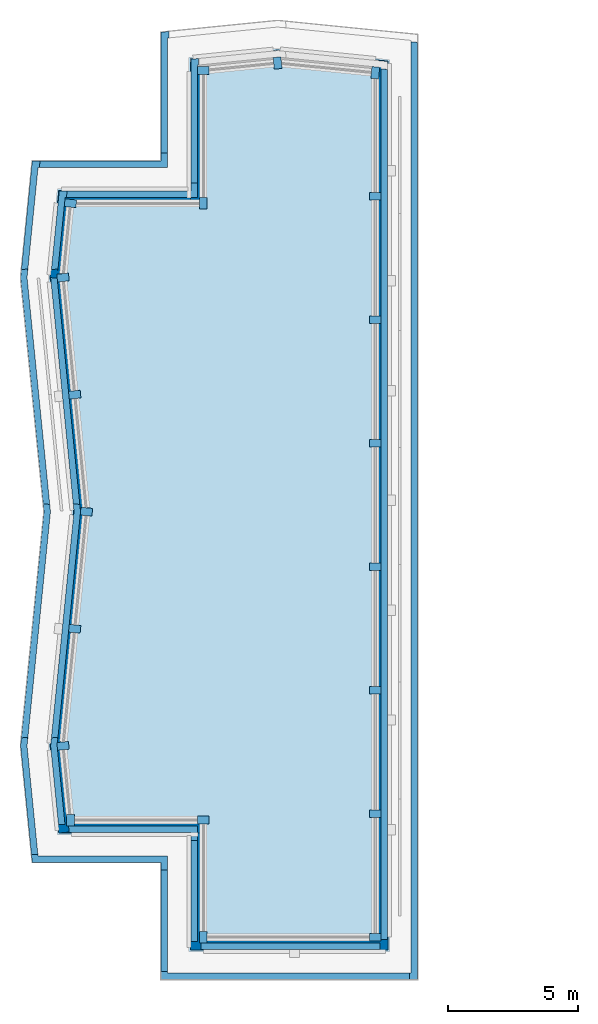
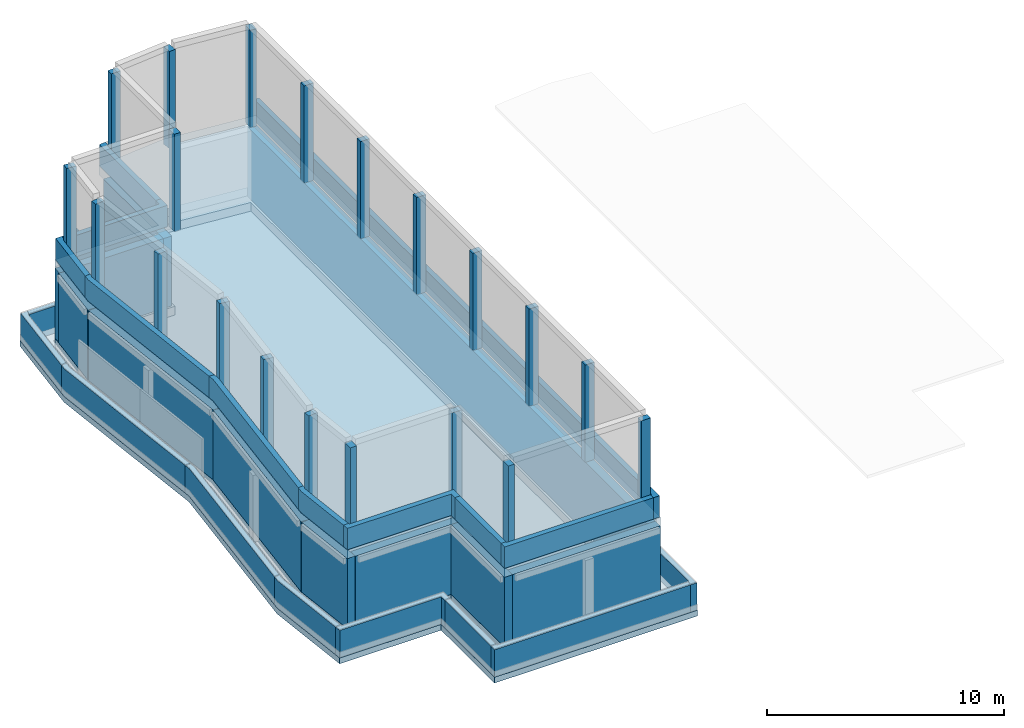
# One storey, part 1 of 4: 30 walls, 20 plates, 3 slabs.
"""IFC4 building model written with IfcOpenShell, lengths in metres."""

from ifc_helpers import new_model, si_unit, direction, frame, frame_2d, origin, place, context, subcontext, project, spatial, polyline, rectangle, outline, extrude, material, layer, layer_set, type_object, element, save


model = new_model("IFC4")

# Units and contexts
model_context = context("Model", 3, precision=1e-05, world=origin(), true_north=direction((0.0, 1.0)))
body_context = subcontext(model_context, "Body", "Model", "MODEL_VIEW")
ifc_project = project(units=[si_unit("LENGTHUNIT", "METRE"), si_unit("AREAUNIT", "SQUARE_METRE"), si_unit("VOLUMEUNIT", "CUBIC_METRE"), si_unit("PLANEANGLEUNIT", "RADIAN"), si_unit("MASSUNIT", "GRAM", prefix="KILO")], contexts=[model_context])

# Site, building, storey
site_placement = place(None, origin())
site = spatial("IfcSite", under=ifc_project, at=site_placement, CompositionType="ELEMENT")
building_placement = place(site_placement, origin())
building = spatial("IfcBuilding", under=site, at=building_placement, Name="Brondeck Convention Tower", CompositionType="ELEMENT")
storey_placement = place(building_placement, frame((0.0, 0.0, 310.800048828125)))
storey = spatial("IfcBuildingStorey", under=building, at=storey_placement, Name="ROOF 1", CompositionType="ELEMENT", Elevation=310.800048828125)

# Plates
ifc_material_1 = material(Name="Precast concrete C50/60", Category="concrete")
ifc_layer_1 = layer(ifc_material_1, 0.300048828125)
ifc_layer_set_1 = layer_set([ifc_layer_1], Name="Crown fin FIN-C 300 x 450 Precast concrete C50/60")
plate_type = type_object("IfcPlateType", Name="Crown fin FIN-C 300 x 450 Precast concrete C50/60", PredefinedType="USERDEFINED", material=ifc_layer_set_1)
plate_1_placement = place(storey_placement, frame((0.0, 0.0, 4.47998046875)))
element("IfcPlate", 1, at=plate_1_placement, inside=storey, type_object=plate_type, Name="ENV-CF-K1-T1-00-0", ObjectType="FIN-C", PredefinedType="USERDEFINED", context=body_context, shape_type="SweptSolid", body=[
    extrude(outline(polyline([(6.294921875, 28.8701171875), (5.9951171875, 28.8701171875), (5.9951171875, 28.419921875), (6.294921875, 28.419921875), (6.294921875, 28.8701171875)])), origin(), (0.0, 0.0, 1.0), 5.02001953125),
])
plate_2_placement = place(storey_placement, frame((0.0, 0.0, 4.47998046875)))
element("IfcPlate", 2, at=plate_2_placement, inside=storey, type_object=plate_type, Name="ENV-CF-K1-T1-01-0", ObjectType="FIN-C", PredefinedType="USERDEFINED", context=body_context, shape_type="SweptSolid", body=[
    extrude(outline(polyline([(12.530029296875, 28.794921875), (12.530029296875, 28.4951171875), (12.97998046875, 28.4951171875), (12.97998046875, 28.794921875), (12.530029296875, 28.794921875)])), origin(), (0.0, 0.0, 1.0), 5.02001953125),
])
plate_3_placement = place(storey_placement, frame((0.0, 0.0, 4.47998046875)))
element("IfcPlate", 3, at=plate_3_placement, inside=storey, type_object=plate_type, Name="ENV-CF-K1-T1-01-1", ObjectType="FIN-C", PredefinedType="USERDEFINED", context=body_context, shape_type="SweptSolid", body=[
    extrude(outline(polyline([(12.530029296875, 33.54150390625), (12.530029296875, 33.24169921875), (12.97998046875, 33.24169921875), (12.97998046875, 33.54150390625), (12.530029296875, 33.54150390625)])), origin(), (0.0, 0.0, 1.0), 5.02001953125),
])
plate_4_placement = place(storey_placement, frame((0.0, 0.0, 4.47998046875)))
element("IfcPlate", 4, at=plate_4_placement, inside=storey, type_object=plate_type, Name="ENV-CF-K1-T1-01-2", ObjectType="FIN-C", PredefinedType="USERDEFINED", context=body_context, shape_type="SweptSolid", body=[
    extrude(outline(polyline([(12.530029296875, 38.2880859375), (12.530029296875, 37.98828125), (12.97998046875, 37.98828125), (12.97998046875, 38.2880859375), (12.530029296875, 38.2880859375)])), origin(), (0.0, 0.0, 1.0), 5.02001953125),
])
plate_5_placement = place(storey_placement, frame((0.0, 0.0, 4.47998046875)))
element("IfcPlate", 5, at=plate_5_placement, inside=storey, type_object=plate_type, Name="ENV-CF-K1-T1-01-3", ObjectType="FIN-C", PredefinedType="USERDEFINED", context=body_context, shape_type="SweptSolid", body=[
    extrude(outline(polyline([(12.530029296875, 43.034912109375), (12.530029296875, 42.73486328125), (12.97998046875, 42.73486328125), (12.97998046875, 43.034912109375), (12.530029296875, 43.034912109375)])), origin(), (0.0, 0.0, 1.0), 5.02001953125),
])
plate_6_placement = place(storey_placement, frame((0.0, 0.0, 4.47998046875)))
element("IfcPlate", 6, at=plate_6_placement, inside=storey, type_object=plate_type, Name="ENV-CF-K1-T1-01-4", ObjectType="FIN-C", PredefinedType="USERDEFINED", context=body_context, shape_type="SweptSolid", body=[
    extrude(outline(polyline([(12.530029296875, 47.781494140625), (12.530029296875, 47.4814453125), (12.97998046875, 47.4814453125), (12.97998046875, 47.781494140625), (12.530029296875, 47.781494140625)])), origin(), (0.0, 0.0, 1.0), 5.02001953125),
])
plate_7_placement = place(storey_placement, frame((0.0, 0.0, 4.47998046875)))
element("IfcPlate", 7, at=plate_7_placement, inside=storey, type_object=plate_type, Name="ENV-CF-K1-T1-01-5", ObjectType="FIN-C", PredefinedType="USERDEFINED", context=body_context, shape_type="SweptSolid", body=[
    extrude(outline(polyline([(12.530029296875, 52.528076171875), (12.530029296875, 52.22802734375), (12.97998046875, 52.22802734375), (12.97998046875, 52.528076171875), (12.530029296875, 52.528076171875)])), origin(), (0.0, 0.0, 1.0), 5.02001953125),
])
plate_8_placement = place(storey_placement, frame((0.0, 0.0, 4.47998046875)))
element("IfcPlate", 8, at=plate_8_placement, inside=storey, type_object=plate_type, Name="ENV-CF-K1-T1-01-6", ObjectType="FIN-C", PredefinedType="USERDEFINED", context=body_context, shape_type="SweptSolid", body=[
    extrude(outline(polyline([(12.530029296875, 57.274658203125), (12.530029296875, 56.974609375), (12.97998046875, 56.974609375), (12.97998046875, 57.274658203125), (12.530029296875, 57.274658203125)])), origin(), (0.0, 0.0, 1.0), 5.02001953125),
])
plate_9_placement = place(storey_placement, frame((0.0, 0.0, 4.47998046875)))
element("IfcPlate", 9, at=plate_9_placement, inside=storey, type_object=plate_type, Name="ENV-CF-K1-T1-02-0", ObjectType="FIN-C", PredefinedType="USERDEFINED", context=body_context, shape_type="SweptSolid", body=[
    extrude(outline(polyline([(12.58349609375, 61.662353515625), (12.8818359375, 61.632568359375), (12.926513671875, 62.080322265625), (12.628173828125, 62.110107421875), (12.58349609375, 61.662353515625)])), origin(), (0.0, 0.0, 1.0), 5.02001953125),
])
plate_10_placement = place(storey_placement, frame((0.0, 0.0, 4.47998046875)))
element("IfcPlate", 10, at=plate_10_placement, inside=storey, type_object=plate_type, Name="ENV-CF-K1-T1-03-0", ObjectType="FIN-C", PredefinedType="USERDEFINED", context=body_context, shape_type="SweptSolid", body=[
    extrude(outline(polyline([(8.873046875, 62.008056640625), (9.171630859375, 62.037841796875), (9.126953125, 62.485595703125), (8.828369140625, 62.455810546875), (8.873046875, 62.008056640625)])), origin(), (0.0, 0.0, 1.0), 5.02001953125),
])
plate_11_placement = place(storey_placement, frame((0.0, 0.0, 4.47998046875)))
element("IfcPlate", 11, at=plate_11_placement, inside=storey, type_object=plate_type, Name="ENV-CF-K1-T1-04-0", ObjectType="FIN-C", PredefinedType="USERDEFINED", context=body_context, shape_type="SweptSolid", body=[
    extrude(outline(polyline([(6.3701171875, 61.811279296875), (6.3701171875, 62.111328125), (5.919921875, 62.111328125), (5.919921875, 61.811279296875), (6.3701171875, 61.811279296875)])), origin(), (0.0, 0.0, 1.0), 5.02001953125),
])
plate_12_placement = place(storey_placement, frame((0.0, 0.0, 4.47998046875)))
element("IfcPlate", 12, at=plate_12_placement, inside=storey, type_object=plate_type, Name="ENV-CF-K1-T1-05-0", ObjectType="FIN-C", PredefinedType="USERDEFINED", context=body_context, shape_type="SweptSolid", body=[
    extrude(outline(polyline([(5.9951171875, 56.6298828125), (6.294921875, 56.6298828125), (6.294921875, 57.080078125), (5.9951171875, 57.080078125), (5.9951171875, 56.6298828125)])), origin(), (0.0, 0.0, 1.0), 5.02001953125),
])
plate_13_placement = place(storey_placement, frame((0.0, 0.0, 4.47998046875)))
element("IfcPlate", 13, at=plate_13_placement, inside=storey, type_object=plate_type, Name="ENV-CF-K1-T1-06-0", ObjectType="FIN-C", PredefinedType="USERDEFINED", context=body_context, shape_type="SweptSolid", body=[
    extrude(outline(polyline([(1.247802734375, 56.683349609375), (1.277587890625, 56.98193359375), (0.82958984375, 57.026611328125), (0.7998046875, 56.72802734375), (1.247802734375, 56.683349609375)])), origin(), (0.0, 0.0, 1.0), 5.02001953125),
])
plate_14_placement = place(storey_placement, frame((0.0, 0.0, 4.47998046875)))
element("IfcPlate", 14, at=plate_14_placement, inside=storey, type_object=plate_type, Name="ENV-CF-K1-T1-07-0", ObjectType="FIN-C", PredefinedType="USERDEFINED", context=body_context, shape_type="SweptSolid", body=[
    extrude(outline(polyline([(0.991943359375, 53.873046875), (0.962158203125, 54.171630859375), (0.514404296875, 54.126953125), (0.544189453125, 53.828369140625), (0.991943359375, 53.873046875)])), origin(), (0.0, 0.0, 1.0), 5.02001953125),
])
plate_15_placement = place(storey_placement, frame((0.0, 0.0, 4.47998046875)))
element("IfcPlate", 15, at=plate_15_placement, inside=storey, type_object=plate_type, Name="ENV-CF-K1-T1-07-1", ObjectType="FIN-C", PredefinedType="USERDEFINED", context=body_context, shape_type="SweptSolid", body=[
    extrude(outline(polyline([(1.44189453125, 49.373046875), (1.412109375, 49.671630859375), (0.96435546875, 49.626953125), (0.994140625, 49.328369140625), (1.44189453125, 49.373046875)])), origin(), (0.0, 0.0, 1.0), 5.02001953125),
])
plate_16_placement = place(storey_placement, frame((0.0, 0.0, 4.47998046875)))
element("IfcPlate", 16, at=plate_16_placement, inside=storey, type_object=plate_type, Name="ENV-CF-K1-T1-08-0", ObjectType="FIN-C", PredefinedType="USERDEFINED", context=body_context, shape_type="SweptSolid", body=[
    extrude(outline(polyline([(1.8623046875, 44.828369140625), (1.89208984375, 45.126953125), (1.444091796875, 45.171630859375), (1.414306640625, 44.873046875), (1.8623046875, 44.828369140625)])), origin(), (0.0, 0.0, 1.0), 5.02001953125),
])
plate_17_placement = place(storey_placement, frame((0.0, 0.0, 4.47998046875)))
element("IfcPlate", 17, at=plate_17_placement, inside=storey, type_object=plate_type, Name="ENV-CF-K1-T1-08-1", ObjectType="FIN-C", PredefinedType="USERDEFINED", context=body_context, shape_type="SweptSolid", body=[
    extrude(outline(polyline([(1.412109375, 40.328369140625), (1.44189453125, 40.626953125), (0.994140625, 40.671630859375), (0.96435546875, 40.373046875), (1.412109375, 40.328369140625)])), origin(), (0.0, 0.0, 1.0), 5.02001953125),
])
plate_18_placement = place(storey_placement, frame((0.0, 0.0, 4.47998046875)))
element("IfcPlate", 18, at=plate_18_placement, inside=storey, type_object=plate_type, Name="ENV-CF-K1-T1-09-0", ObjectType="FIN-C", PredefinedType="USERDEFINED", context=body_context, shape_type="SweptSolid", body=[
    extrude(outline(polyline([(0.991943359375, 35.873046875), (0.962158203125, 36.171630859375), (0.514404296875, 36.126953125), (0.544189453125, 35.828369140625), (0.991943359375, 35.873046875)])), origin(), (0.0, 0.0, 1.0), 5.02001953125),
])
plate_19_placement = place(storey_placement, frame((0.0, 0.0, 4.47998046875)))
element("IfcPlate", 19, at=plate_19_placement, inside=storey, type_object=plate_type, Name="ENV-CF-K1-T1-10-0", ObjectType="FIN-C", PredefinedType="USERDEFINED", context=body_context, shape_type="SweptSolid", body=[
    extrude(outline(polyline([(1.188720703125, 33.3701171875), (0.888671875, 33.3701171875), (0.888671875, 32.919921875), (1.188720703125, 32.919921875), (1.188720703125, 33.3701171875)])), origin(), (0.0, 0.0, 1.0), 5.02001953125),
])
plate_20_placement = place(storey_placement, frame((0.0, 0.0, 4.47998046875)))
element("IfcPlate", 20, at=plate_20_placement, inside=storey, type_object=plate_type, Name="ENV-CF-K1-T1-11-0", ObjectType="FIN-C", PredefinedType="USERDEFINED", context=body_context, shape_type="SweptSolid", body=[
    extrude(outline(polyline([(6.3701171875, 32.9951171875), (6.3701171875, 33.294921875), (5.919921875, 33.294921875), (5.919921875, 32.9951171875), (6.3701171875, 32.9951171875)])), origin(), (0.0, 0.0, 1.0), 5.02001953125),
])

# Slabs
ifc_material_2 = material(Name="Concrete C35/45", Category="concrete")
ifc_layer_2 = layer(ifc_material_2, 0.449951171875)
ifc_layer_set_2 = layer_set([ifc_layer_2], Name="Crown tier bearing ring 450")
slab_type_1 = type_object("IfcSlabType", Name="Crown tier bearing ring 450", PredefinedType="ROOF", material=ifc_layer_set_2)
slab_1_placement = place(storey_placement, origin())
element("IfcSlab", 21, at=slab_1_placement, inside=storey, type_object=slab_type_1, Name="ENV-CT-K1-T1-PL01", PredefinedType="ROOF", context=body_context, shape_type="SweptSolid", body=[
    extrude(outline(polyline([(5.64990234375, 32.64990234375), (5.64990234375, 28.14990234375), (13.25, 28.14990234375), (13.25, 62.3193359375), (9.0, 62.744384765625), (5.64990234375, 62.4091796875), (5.64990234375, 57.35009765625), (0.5908203125, 57.35009765625), (0.255615234375, 54.0), (1.15576171875, 45.0), (0.255615234375, 36.0), (0.5908203125, 32.64990234375), (5.64990234375, 32.64990234375)]), holes=[polyline([(12.75, 28.64990234375), (6.14990234375, 28.64990234375), (6.14990234375, 33.14990234375), (1.043212890625, 33.14990234375), (0.75830078125, 36.0), (1.658203125, 45.0), (0.75830078125, 54.0), (1.043212890625, 56.85009765625), (6.14990234375, 56.85009765625), (6.14990234375, 61.956787109375), (9.0, 62.24169921875), (12.75, 61.86669921875), (12.75, 28.64990234375)])]), origin(), (0.0, 0.0, 1.0), 0.449951171875),
])
ifc_layer_3 = layer(ifc_material_2, 0.449951171875)
ifc_layer_set_3 = layer_set([ifc_layer_3], Name="Crown tier slab 450")
slab_type_2 = type_object("IfcSlabType", Name="Crown tier slab 450", PredefinedType="ROOF", material=ifc_layer_set_3)
slab_2_placement = place(storey_placement, frame((0.0, 0.0, 4.050048828125)))
element("IfcSlab", 22, at=slab_2_placement, inside=storey, type_object=slab_type_2, Name="ENV-CT-K1-T1-SL", PredefinedType="ROOF", context=body_context, shape_type="SweptSolid", body=[
    extrude(outline(polyline([(5.64990234375, 28.14990234375), (13.25, 28.14990234375), (13.25, 62.3193359375), (9.0, 62.744384765625), (5.64990234375, 62.4091796875), (5.64990234375, 57.35009765625), (0.5908203125, 57.35009765625), (0.255615234375, 54.0), (1.15576171875, 45.0), (0.255615234375, 36.0), (0.5908203125, 32.64990234375), (5.64990234375, 32.64990234375), (5.64990234375, 28.14990234375)])), origin(), (0.0, 0.0, 1.0), 0.449951171875),
])
ifc_layer_4 = layer(ifc_material_2, 0.300048828125)
ifc_layer_set_4 = layer_set([ifc_layer_4], Name="Roof slab, terrace and crown")
slab_type_3 = type_object("IfcSlabType", Name="Roof slab, terrace and crown", PredefinedType="ROOF", material=ifc_layer_set_4)
slab_3_placement = place(storey_placement, frame((0.0, 0.0, -0.300048828125)))
element("IfcSlab", 23, at=slab_3_placement, inside=storey, type_object=slab_type_3, Name="ENV-ROOF-K1-SL", PredefinedType="ROOF", context=body_context, shape_type="SweptSolid", body=[
    extrude(outline(polyline([(4.5, 27.0), (14.39990234375, 27.0), (14.39990234375, 63.0), (14.39990234375, 63.360107421875), (9.0, 63.89990234375), (4.5, 63.449951171875), (4.5, 58.5), (-0.449951171875, 58.5), (-0.89990234375, 54.0), (0.0, 45.0), (-0.89990234375, 36.0), (-0.449951171875, 31.5), (4.5, 31.5), (4.5, 27.0)])), origin(), (0.0, 0.0, 1.0), 0.300048828125),
])

# Walls
ifc_material_3 = material(Name="Precast concrete C50/60 bronze finish", Category="concrete")
ifc_layer_5 = layer(ifc_material_3, 0.39990234375)
ifc_layer_set_5 = layer_set([ifc_layer_5], Name="Crown tier wall, precast concrete C50/60")
wall_type_1 = type_object("IfcWallType", Name="Crown tier wall, precast concrete C50/60", PredefinedType="SOLIDWALL", material=ifc_layer_set_5)
wall_1_placement = place(storey_placement, frame((13.25, 28.35009765625, 0.449951171875), z_axis=(0.0, 0.0, 1.0), x_axis=(-1.0, 0.0, 0.0)))
element("IfcWall", 24, at=wall_1_placement, inside=storey, type_object=wall_type_1, Name="ENV-CT-K1-T1-W01", PredefinedType="SOLIDWALL", context=body_context, shape_type="SweptSolid", body=[
    extrude(rectangle(XDim=7.199951171875, YDim=0.39990234375, at=frame_2d((3.60009765625, 0.0))), origin(), (0.0, 0.0, 1.0), 3.60009765625),
])
wall_2_placement = place(storey_placement, frame((13.050048828125, 62.3193359375, 0.449951171875), z_axis=(0.0, 0.0, 1.0), x_axis=(0.0, -1.0, 0.0)))
element("IfcWall", 25, at=wall_2_placement, inside=storey, type_object=wall_type_1, Name="ENV-CT-K1-T1-W02", PredefinedType="SOLIDWALL", context=body_context, shape_type="SweptSolid", body=[
    extrude(rectangle(XDim=33.769287109375, YDim=0.39990234375, at=frame_2d((16.884765625, 0.0))), origin(), (0.0, 0.0, 1.0), 3.60009765625),
])
wall_3_placement = place(storey_placement, frame((5.85009765625, 56.949951171875, 0.449951171875), z_axis=(0.0, 0.0, 1.0), x_axis=(0.0, 1.0, 0.0)))
element("IfcWall", 26, at=wall_3_placement, inside=storey, type_object=wall_type_1, Name="ENV-CT-K1-T1-W05", PredefinedType="SOLIDWALL", context=body_context, shape_type="SweptSolid", body=[
    extrude(rectangle(XDim=5.072265625, YDim=0.39990234375, at=frame_2d((2.5361328125, 0.0))), origin(), (0.0, 0.0, 1.0), 3.60009765625),
])
wall_4_placement = place(storey_placement, frame((0.5908203125, 57.14990234375, 0.449951171875), z_axis=(0.0, 0.0, 1.0), x_axis=(1.0, 0.0, 0.0)))
element("IfcWall", 27, at=wall_4_placement, inside=storey, type_object=wall_type_1, Name="ENV-CT-K1-T1-W06", PredefinedType="SOLIDWALL", context=body_context, shape_type="SweptSolid", body=[
    extrude(rectangle(XDim=5.05908203125, YDim=0.39990234375, at=frame_2d((2.529541015625, 0.0))), origin(), (0.0, 0.0, 1.0), 3.60009765625),
])
wall_5_placement = place(storey_placement, frame((0.45458984375, 53.97998046875, 0.449951171875), z_axis=(0.0, 0.0, 1.0), x_axis=(0.099544278071, 0.99503313347, 0.0)))
element("IfcWall", 28, at=wall_5_placement, inside=storey, type_object=wall_type_1, Name="ENV-CT-K1-T1-W07", PredefinedType="SOLIDWALL", context=body_context, shape_type="SweptSolid", body=[
    extrude(rectangle(XDim=2.97998046875, YDim=0.39990234375, at=frame_2d((1.489990234375, 0.0))), origin(), (0.0, 0.0, 1.0), 3.60009765625),
])
for number, where, z_axis, x_axis, name in (
    (29, (1.358642578125, 44.97998046875, 0.449951171875), (0.0, 0.0, 1.0), (-0.099490324224, 0.995038529599, 0.0), "ENV-CT-K1-T1-W08"),
    (30, (0.45458984375, 35.97998046875, 0.449951171875), (0.0, 0.0, 1.0), (0.099517113764, 0.995035850645, 0.0), "ENV-CT-K1-T1-W09"),
):
    element("IfcWall", number, at=place(storey_placement, frame(where, z_axis=z_axis, x_axis=x_axis)), inside=storey, type_object=wall_type_1, Name=name, PredefinedType="SOLIDWALL", context=body_context, shape_type="SweptSolid", body=[
        extrude(rectangle(XDim=9.02294921875, YDim=0.39990234375, at=frame_2d((4.511474609375, 0.0))), origin(), (0.0, 0.0, 1.0), 3.60009765625),
    ])
wall_6_placement = place(storey_placement, frame((0.789794921875, 32.669921875, 0.449951171875), z_axis=(0.0, 0.0, 1.0), x_axis=(-0.099511033478, 0.995036458737, 0.0)))
element("IfcWall", 31, at=wall_6_placement, inside=storey, type_object=wall_type_1, Name="ENV-CT-K1-T1-W10", PredefinedType="SOLIDWALL", context=body_context, shape_type="SweptSolid", body=[
    extrude(rectangle(XDim=3.3046875, YDim=0.39990234375, at=frame_2d((1.65234375, 0.0))), origin(), (0.0, 0.0, 1.0), 3.60009765625),
])
wall_7_placement = place(storey_placement, frame((6.050048828125, 32.85009765625, 0.449951171875), z_axis=(0.0, 0.0, 1.0), x_axis=(-1.0, 0.0, 0.0)))
element("IfcWall", 32, at=wall_7_placement, inside=storey, type_object=wall_type_1, Name="ENV-CT-K1-T1-W11", PredefinedType="SOLIDWALL", context=body_context, shape_type="SweptSolid", body=[
    extrude(rectangle(XDim=5.072265625, YDim=0.39990234375, at=frame_2d((2.5361328125, 0.0))), origin(), (0.0, 0.0, 1.0), 3.60009765625),
])
wall_8_placement = place(storey_placement, frame((5.85009765625, 28.14990234375, 0.449951171875), z_axis=(0.0, 0.0, 1.0), x_axis=(0.0, 1.0, 0.0)))
element("IfcWall", 33, at=wall_8_placement, inside=storey, type_object=wall_type_1, Name="ENV-CT-K1-T1-W12", PredefinedType="SOLIDWALL", context=body_context, shape_type="SweptSolid", body=[
    extrude(rectangle(XDim=4.502197265625, YDim=0.39990234375, at=frame_2d((2.2509765625, 0.0))), origin(), (0.0, 0.0, 1.0), 3.60009765625),
])
ifc_layer_6 = layer(ifc_material_1, 0.25)
ifc_layer_set_6 = layer_set([ifc_layer_6], Name="Roof parapet, precast concrete C50/60")
wall_type_2 = type_object("IfcWallType", Name="Roof parapet, precast concrete C50/60", PredefinedType="PARAPET", material=ifc_layer_set_6)
wall_9_placement = place(storey_placement, origin())
element("IfcWall", 34, at=wall_9_placement, inside=storey, type_object=wall_type_2, Name="ENV-ROOF-K1-PA-01", PredefinedType="PARAPET", context=body_context, shape_type="SweptSolid", body=[
    extrude(outline(polyline([(-0.210693359375, 31.820068359375), (-0.4619140625, 31.820068359375), (-0.431884765625, 31.52001953125), (4.52001953125, 31.52001953125), (4.52001953125, 31.219970703125), (4.77001953125, 31.219970703125), (4.77001953125, 31.77001953125), (-0.205810546875, 31.77001953125), (-0.210693359375, 31.820068359375)])), origin(), (0.0, 0.0, 1.0), 1.39990234375),
])
wall_10_placement = place(storey_placement, origin())
element("IfcWall", 35, at=wall_10_placement, inside=storey, type_object=wall_type_2, Name="ENV-ROOF-K1-PA-02", PredefinedType="PARAPET", context=body_context, shape_type="SweptSolid", body=[
    extrude(outline(polyline([(-0.603515625, 36.251220703125), (-0.611083984375, 36.328369140625), (-0.849365234375, 36.304443359375), (-0.8798828125, 36.0), (-0.4619140625, 31.821044921875), (-0.4619140625, 31.821044921875), (-0.4619140625, 31.821044921875), (-0.210693359375, 31.821044921875), (-0.628662109375, 36.0), (-0.603515625, 36.251220703125)])), origin(), (0.0, 0.0, 1.0), 1.39990234375),
])
wall_11_placement = place(storey_placement, origin())
element("IfcWall", 36, at=wall_11_placement, inside=storey, type_object=wall_type_2, Name="ENV-ROOF-K1-PA-03", PredefinedType="PARAPET", context=body_context, shape_type="SweptSolid", body=[
    extrude(outline(polyline([(0.271240234375, 45.0), (0.243408203125, 45.279296875), (-0.010498046875, 45.304443359375), (0.02001953125, 45.0), (-0.849365234375, 36.3056640625), (-0.611328125, 36.329345703125), (-0.611083984375, 36.329345703125), (-0.611083984375, 36.329345703125), (-0.611083984375, 36.329345703125), (-0.611083984375, 36.329345703125), (-0.61083984375, 36.329345703125), (-0.61083984375, 36.3291015625), (-0.610595703125, 36.3291015625), (-0.610595703125, 36.3291015625), (-0.610595703125, 36.3291015625), (-0.610595703125, 36.3291015625), (-0.6103515625, 36.328857421875), (-0.6103515625, 36.328857421875), (-0.6103515625, 36.32861328125), (-0.6103515625, 36.32861328125), (-0.6103515625, 36.32861328125), (-0.610107421875, 36.32861328125), (-0.60302734375, 36.25634765625), (0.271240234375, 45.0)])), origin(), (0.0, 0.0, 1.0), 1.39990234375),
])
wall_12_placement = place(storey_placement, origin())
element("IfcWall", 37, at=wall_12_placement, inside=storey, type_object=wall_type_2, Name="ENV-ROOF-K1-PA-04", PredefinedType="PARAPET", context=body_context, shape_type="SweptSolid", body=[
    extrude(outline(polyline([(-0.603515625, 54.251220703125), (-0.611083984375, 54.328369140625), (-0.849365234375, 54.304443359375), (-0.8798828125, 54.0), (-0.010498046875, 45.305419921875), (-0.010498046875, 45.305419921875), (-0.010498046875, 45.305419921875), (-0.01025390625, 45.305419921875), (0.243408203125, 45.2802734375), (-0.628662109375, 54.0), (-0.603515625, 54.251220703125)])), origin(), (0.0, 0.0, 1.0), 1.39990234375),
])
wall_13_placement = place(storey_placement, origin())
element("IfcWall", 38, at=wall_13_placement, inside=storey, type_object=wall_type_2, Name="ENV-ROOF-K1-PA-05", PredefinedType="PARAPET", context=body_context, shape_type="SweptSolid", body=[
    extrude(outline(polyline([(-0.205810546875, 58.22998046875), (-0.155517578125, 58.22998046875), (-0.13037109375, 58.47998046875), (-0.431884765625, 58.47998046875), (-0.849365234375, 54.3056640625), (-0.611328125, 54.329345703125), (-0.611083984375, 54.329345703125), (-0.611083984375, 54.329345703125), (-0.611083984375, 54.329345703125), (-0.611083984375, 54.329345703125), (-0.61083984375, 54.329345703125), (-0.61083984375, 54.3291015625), (-0.610595703125, 54.3291015625), (-0.610595703125, 54.3291015625), (-0.610595703125, 54.3291015625), (-0.610595703125, 54.3291015625), (-0.6103515625, 54.328857421875), (-0.6103515625, 54.328857421875), (-0.6103515625, 54.32861328125), (-0.6103515625, 54.32861328125), (-0.6103515625, 54.32861328125), (-0.610107421875, 54.32861328125), (-0.60302734375, 54.25634765625), (-0.205810546875, 58.22998046875)])), origin(), (0.0, 0.0, 1.0), 1.39990234375),
])
wall_14_placement = place(storey_placement, origin())
element("IfcWall", 39, at=wall_14_placement, inside=storey, type_object=wall_type_2, Name="ENV-ROOF-K1-PA-06", PredefinedType="PARAPET", context=body_context, shape_type="SweptSolid", body=[
    extrude(outline(polyline([(4.77001953125, 58.22998046875), (4.77001953125, 58.780029296875), (4.52001953125, 58.780029296875), (4.52001953125, 58.47998046875), (-0.12939453125, 58.47998046875), (-0.12939453125, 58.47998046875), (-0.12939453125, 58.47998046875), (-0.154296875, 58.22998046875), (4.77001953125, 58.22998046875)])), origin(), (0.0, 0.0, 1.0), 1.39990234375),
])
wall_15_placement = place(storey_placement, origin())
element("IfcWall", 40, at=wall_15_placement, inside=storey, type_object=wall_type_2, Name="ENV-ROOF-K1-PA-07", PredefinedType="PARAPET", context=body_context, shape_type="SweptSolid", body=[
    extrude(outline(polyline([(4.77001953125, 63.205810546875), (4.820068359375, 63.210693359375), (4.820068359375, 63.4619140625), (4.52001953125, 63.431884765625), (4.52001953125, 58.781005859375), (4.77001953125, 58.781005859375), (4.77001953125, 63.205810546875)])), origin(), (0.0, 0.0, 1.0), 1.39990234375),
])
wall_16_placement = place(storey_placement, origin())
element("IfcWall", 41, at=wall_16_placement, inside=storey, type_object=wall_type_2, Name="ENV-ROOF-K1-PA-10", PredefinedType="PARAPET", context=body_context, shape_type="SweptSolid", body=[
    extrude(outline(polyline([(14.1298828125, 27.27001953125), (14.080078125, 27.27001953125), (14.080078125, 27.02001953125), (14.3798828125, 27.02001953125), (14.3798828125, 63.039306640625), (14.3798828125, 63.039306640625), (14.3798828125, 63.039306640625), (14.1298828125, 63.064453125), (14.1298828125, 27.27001953125)])), origin(), (0.0, 0.0, 1.0), 1.39990234375),
])
wall_17_placement = place(storey_placement, origin())
element("IfcWall", 42, at=wall_17_placement, inside=storey, type_object=wall_type_2, Name="ENV-ROOF-K1-PA-11", PredefinedType="PARAPET", context=body_context, shape_type="SweptSolid", body=[
    extrude(outline(polyline([(4.77001953125, 27.27001953125), (4.77001953125, 27.320068359375), (4.52001953125, 27.320068359375), (4.52001953125, 27.02001953125), (14.0791015625, 27.02001953125), (14.0791015625, 27.27001953125), (4.77001953125, 27.27001953125)])), origin(), (0.0, 0.0, 1.0), 1.39990234375),
])
wall_18_placement = place(storey_placement, origin())
element("IfcWall", 43, at=wall_18_placement, inside=storey, type_object=wall_type_2, Name="ENV-ROOF-K1-PA-12", PredefinedType="PARAPET", context=body_context, shape_type="SweptSolid", body=[
    extrude(outline(polyline([(4.77001953125, 27.321044921875), (4.77001953125, 31.218994140625), (4.52001953125, 31.218994140625), (4.52001953125, 27.321044921875), (4.77001953125, 27.321044921875)])), origin(), (0.0, 0.0, 1.0), 1.39990234375),
])
wall_19_placement = place(storey_placement, frame((0.0, 0.0, 4.5)))
element("IfcWall", 44, at=wall_19_placement, inside=storey, type_object=wall_type_2, Name="ENV-CT-K1-T1-PA01", PredefinedType="PARAPET", context=body_context, shape_type="SweptSolid", body=[
    extrude(outline(polyline([(0.830078125, 32.969970703125), (0.578857421875, 32.969970703125), (0.60888671875, 32.669921875), (5.669921875, 32.669921875), (5.669921875, 32.3701171875), (5.919921875, 32.3701171875), (5.919921875, 32.919921875), (0.835205078125, 32.919921875), (0.830078125, 32.969970703125)])), origin(), (0.0, 0.0, 1.0), 1.099853515625),
])
wall_20_placement = place(storey_placement, frame((0.0, 0.0, 4.5)))
element("IfcWall", 45, at=wall_20_placement, inside=storey, type_object=wall_type_2, Name="ENV-CT-K1-T1-PA02", PredefinedType="PARAPET", context=body_context, shape_type="SweptSolid", body=[
    extrude(outline(polyline([(0.55224609375, 36.251220703125), (0.54443359375, 36.328369140625), (0.306396484375, 36.304443359375), (0.27587890625, 36.0), (0.57861328125, 32.970947265625), (0.57861328125, 32.970947265625), (0.578857421875, 32.970947265625), (0.830078125, 32.970947265625), (0.527099609375, 36.0), (0.55224609375, 36.251220703125)])), origin(), (0.0, 0.0, 1.0), 1.099853515625),
])
wall_21_placement = place(storey_placement, frame((0.0, 0.0, 4.5)))
element("IfcWall", 46, at=wall_21_placement, inside=storey, type_object=wall_type_2, Name="ENV-CT-K1-T1-PA03", PredefinedType="PARAPET", context=body_context, shape_type="SweptSolid", body=[
    extrude(outline(polyline([(1.427001953125, 45.0), (1.399169921875, 45.279296875), (1.1455078125, 45.304443359375), (1.17578125, 45.0), (0.306396484375, 36.3056640625), (0.54443359375, 36.329345703125), (0.54443359375, 36.329345703125), (0.544677734375, 36.329345703125), (0.544677734375, 36.329345703125), (0.544921875, 36.329345703125), (0.544921875, 36.329345703125), (0.544921875, 36.3291015625), (0.544921875, 36.3291015625), (0.545166015625, 36.3291015625), (0.545166015625, 36.3291015625), (0.54541015625, 36.3291015625), (0.54541015625, 36.328857421875), (0.54541015625, 36.328857421875), (0.54541015625, 36.32861328125), (0.54541015625, 36.32861328125), (0.54541015625, 36.32861328125), (0.54541015625, 36.32861328125), (0.552734375, 36.25634765625), (1.427001953125, 45.0)])), origin(), (0.0, 0.0, 1.0), 1.099853515625),
])
wall_22_placement = place(storey_placement, frame((0.0, 0.0, 4.5)))
element("IfcWall", 47, at=wall_22_placement, inside=storey, type_object=wall_type_2, Name="ENV-CT-K1-T1-PA04", PredefinedType="PARAPET", context=body_context, shape_type="SweptSolid", body=[
    extrude(outline(polyline([(0.55224609375, 54.251220703125), (0.54443359375, 54.328369140625), (0.306396484375, 54.304443359375), (0.27587890625, 54.0), (1.145263671875, 45.305419921875), (1.145263671875, 45.305419921875), (1.1455078125, 45.305419921875), (1.1455078125, 45.305419921875), (1.399169921875, 45.2802734375), (0.527099609375, 54.0), (0.55224609375, 54.251220703125)])), origin(), (0.0, 0.0, 1.0), 1.099853515625),
])
wall_23_placement = place(storey_placement, frame((0.0, 0.0, 4.5)))
element("IfcWall", 48, at=wall_23_placement, inside=storey, type_object=wall_type_2, Name="ENV-CT-K1-T1-PA05", PredefinedType="PARAPET", context=body_context, shape_type="SweptSolid", body=[
    extrude(outline(polyline([(0.835205078125, 57.080078125), (0.88525390625, 57.080078125), (0.910400390625, 57.330078125), (0.60888671875, 57.330078125), (0.306396484375, 54.3056640625), (0.54443359375, 54.329345703125), (0.54443359375, 54.329345703125), (0.544677734375, 54.329345703125), (0.544677734375, 54.329345703125), (0.544921875, 54.329345703125), (0.544921875, 54.329345703125), (0.544921875, 54.3291015625), (0.544921875, 54.3291015625), (0.545166015625, 54.3291015625), (0.545166015625, 54.3291015625), (0.54541015625, 54.3291015625), (0.54541015625, 54.328857421875), (0.54541015625, 54.328857421875), (0.54541015625, 54.32861328125), (0.54541015625, 54.32861328125), (0.54541015625, 54.32861328125), (0.54541015625, 54.32861328125), (0.552734375, 54.25634765625), (0.835205078125, 57.080078125)])), origin(), (0.0, 0.0, 1.0), 1.099853515625),
])
wall_24_placement = place(storey_placement, frame((0.0, 0.0, 4.5)))
element("IfcWall", 49, at=wall_24_placement, inside=storey, type_object=wall_type_2, Name="ENV-CT-K1-T1-PA06", PredefinedType="PARAPET", context=body_context, shape_type="SweptSolid", body=[
    extrude(outline(polyline([(5.919921875, 57.080078125), (5.919921875, 57.6298828125), (5.669921875, 57.6298828125), (5.669921875, 57.330078125), (0.911376953125, 57.330078125), (0.911376953125, 57.330078125), (0.911376953125, 57.329833984375), (0.88623046875, 57.080078125), (5.919921875, 57.080078125)])), origin(), (0.0, 0.0, 1.0), 1.099853515625),
])
wall_25_placement = place(storey_placement, frame((0.0, 0.0, 4.5)))
element("IfcWall", 50, at=wall_25_placement, inside=storey, type_object=wall_type_2, Name="ENV-CT-K1-T1-PA07", PredefinedType="PARAPET", context=body_context, shape_type="SweptSolid", body=[
    extrude(outline(polyline([(5.919921875, 62.164794921875), (5.969970703125, 62.169921875), (5.969970703125, 62.421142578125), (5.669921875, 62.39111328125), (5.669921875, 57.631103515625), (5.919921875, 57.631103515625), (5.919921875, 62.164794921875)])), origin(), (0.0, 0.0, 1.0), 1.099853515625),
])
wall_26_placement = place(storey_placement, frame((0.0, 0.0, 4.5)))
element("IfcWall", 51, at=wall_26_placement, inside=storey, type_object=wall_type_2, Name="ENV-CT-K1-T1-PA10", PredefinedType="PARAPET", context=body_context, shape_type="SweptSolid", body=[
    extrude(outline(polyline([(12.97998046875, 28.419921875), (12.929931640625, 28.419921875), (12.929931640625, 28.169921875), (13.22998046875, 28.169921875), (13.22998046875, 61.998779296875), (13.22998046875, 61.998779296875), (13.22998046875, 61.998779296875), (12.97998046875, 62.023681640625), (12.97998046875, 28.419921875)])), origin(), (0.0, 0.0, 1.0), 1.099853515625),
])
wall_27_placement = place(storey_placement, frame((0.0, 0.0, 4.5)))
element("IfcWall", 52, at=wall_27_placement, inside=storey, type_object=wall_type_2, Name="ENV-CT-K1-T1-PA11", PredefinedType="PARAPET", context=body_context, shape_type="SweptSolid", body=[
    extrude(outline(polyline([(5.919921875, 28.419921875), (5.919921875, 28.469970703125), (5.669921875, 28.469970703125), (5.669921875, 28.169921875), (12.928955078125, 28.169921875), (12.928955078125, 28.169921875), (12.928955078125, 28.419921875), (5.919921875, 28.419921875)])), origin(), (0.0, 0.0, 1.0), 1.099853515625),
])
wall_28_placement = place(storey_placement, frame((0.0, 0.0, 4.5)))
element("IfcWall", 53, at=wall_28_placement, inside=storey, type_object=wall_type_2, Name="ENV-CT-K1-T1-PA12", PredefinedType="PARAPET", context=body_context, shape_type="SweptSolid", body=[
    extrude(outline(polyline([(5.919921875, 28.470947265625), (5.919921875, 32.368896484375), (5.669921875, 32.368896484375), (5.669921875, 28.470947265625), (5.919921875, 28.470947265625)])), origin(), (0.0, 0.0, 1.0), 1.099853515625),
])

save(model, "model.ifc")
